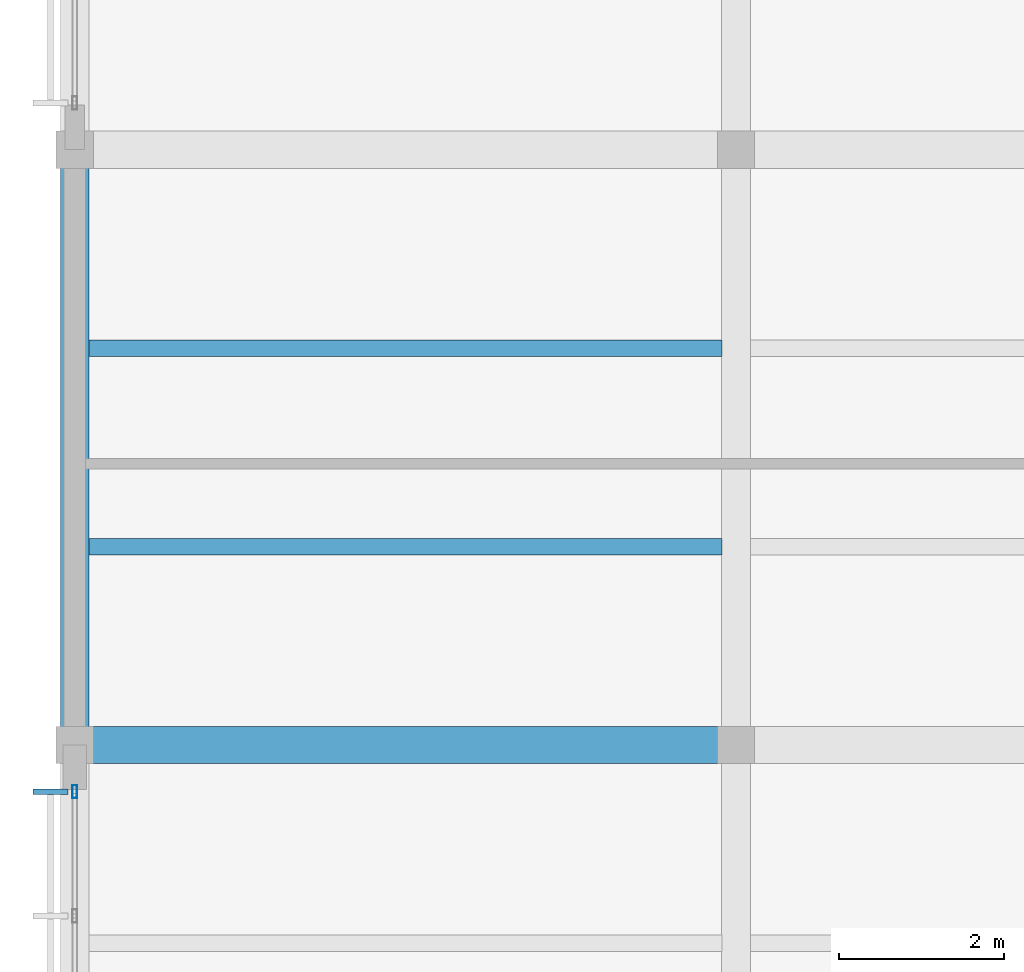
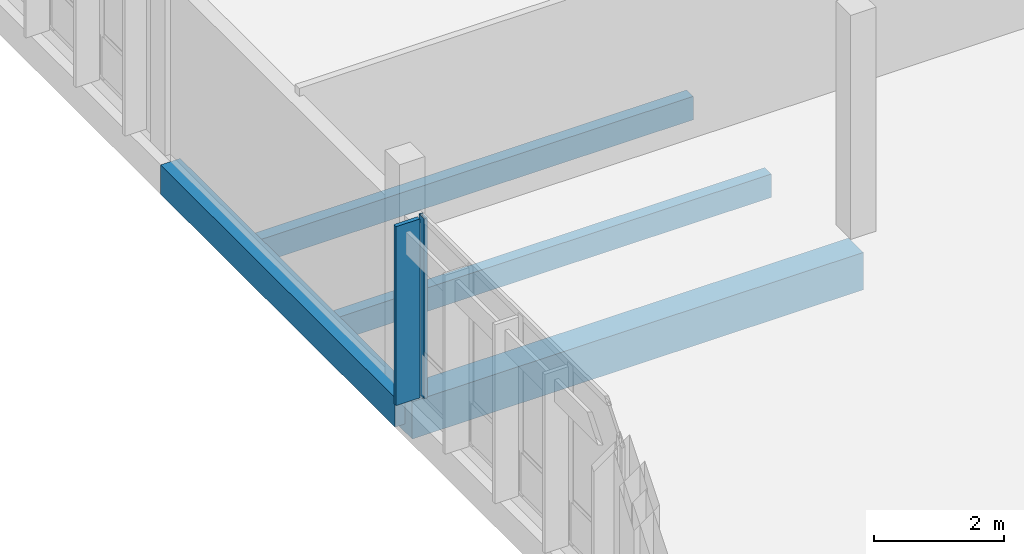
# One storey, part 68 of 182: 4 beams, 2 members, 1 element without a shape of its own.
"""IFC4 building model written with IfcOpenShell, lengths in metres."""

from ifc_helpers import new_model, si_unit, direction, frame, origin, origin_2d, place, context, subcontext, project, spatial, rectangle, hollow_rectangle, extrude, material, material_profile, profile_set, type_object, element, aggregate, save


model = new_model("IFC4")

# Units and contexts
model_context = context("Model", 3, precision=1e-05, world=origin(), true_north=direction((0.0, 1.0)))
body_context = subcontext(model_context, "Body", "Model", "MODEL_VIEW")
ifc_project = project(units=[si_unit("LENGTHUNIT", "METRE"), si_unit("AREAUNIT", "SQUARE_METRE"), si_unit("VOLUMEUNIT", "CUBIC_METRE"), si_unit("PLANEANGLEUNIT", "RADIAN"), si_unit("MASSUNIT", "GRAM", prefix="KILO")], contexts=[model_context])

# Site, building, storey
site_placement = place(None, origin())
site = spatial("IfcSite", under=ifc_project, at=site_placement, CompositionType="ELEMENT")
building_placement = place(site_placement, origin())
building = spatial("IfcBuilding", under=site, at=building_placement, Name="Chiffa Square Polytechnic", CompositionType="ELEMENT")
storey_placement = place(building_placement, frame((0.0, 0.0, 9.60009765625)))
storey = spatial("IfcBuildingStorey", under=building, at=storey_placement, Name="L02", CompositionType="ELEMENT", Elevation=9.60009765625)

# Beams
ifc_material_1 = material(Name="Concrete C35/45", Category="concrete")
ifc_material_profile_1 = material_profile(ifc_material_1, rectangle(XDim=0.35009765625, YDim=0.550048828125, at=origin_2d()), Name="RC 350x550")
ifc_profile_set_1 = profile_set([ifc_material_profile_1], Name="Concrete C35/45")
beam_type_1 = type_object("IfcBeamType", Name="BM-RC-350X550", PredefinedType="BEAM", material=ifc_profile_set_1)
beam_1_placement = place(storey_placement, frame((0.0, 72.60009765625, -0.59521484375), z_axis=(0.0, 1.0, 0.0), x_axis=(-1.0, 0.0, 0.0)))
element("IfcBeam", 1, at=beam_1_placement, inside=storey, type_object=beam_type_1, Name="Primary floor girder BM-V6-L02-Y-0000-0726", PredefinedType="BEAM", context=body_context, shape_type="SweptSolid", body=[
    extrude(rectangle(XDim=0.35009765625, YDim=0.550048828125, at=origin_2d()), origin(), (0.0, 0.0, 1.0), 7.199951171875),
])
ifc_material_profile_2 = material_profile(ifc_material_1, rectangle(XDim=0.449951171875, YDim=0.699951171875, at=origin_2d()), Name="RC 450x700")
ifc_profile_set_2 = profile_set([ifc_material_profile_2], Name="Concrete C35/45")
beam_type_2 = type_object("IfcBeamType", Name="BM-RC-450X700", PredefinedType="BEAM", material=ifc_profile_set_2)
beam_2_placement = place(storey_placement, frame((0.0, 72.60009765625, -0.670166015625), z_axis=(1.0, 0.0, 0.0), x_axis=(0.0, 1.0, 0.0)))
element("IfcBeam", 2, at=beam_2_placement, inside=storey, type_object=beam_type_2, Name="Primary floor girder BM-V6-L02-X-0000-0726", PredefinedType="BEAM", context=body_context, shape_type="SweptSolid", body=[
    extrude(rectangle(XDim=0.449951171875, YDim=0.699951171875, at=origin_2d()), origin(), (0.0, 0.0, 1.0), 8.0),
])

# Curtain wall, members
ifc_material_2 = material(Name="Aluminium EN AW-6060 T66 and glulam shading", Category="wood")
curtain_wall_type = type_object("IfcCurtainWallType", Name="CW-VERT-300X380", PredefinedType="USERDEFINED", material=ifc_material_2)
curtain_wall_placement = place(storey_placement, origin())
curtain_wall = element("IfcCurtainWall", 3, at=curtain_wall_placement, inside=storey, type_object=curtain_wall_type, Name="Curtain wall CW-V6-L02-267", ObjectType="CURTAIN WALL", PredefinedType="USERDEFINED")
ifc_material_3 = material(Name="Aluminium EN AW-6060 T66", Category="aluminium")
ifc_material_profile_3 = material_profile(ifc_material_3, hollow_rectangle(XDim=0.06005859375, YDim=0.159912109375, WallThickness=0.00390625, at=origin_2d()), Name="ALU 60x160x4")
ifc_profile_set_3 = profile_set([ifc_material_profile_3], Name="Aluminium EN AW-6060 T66")
member_type_1 = type_object("IfcMemberType", Name="CWM-ALU-65X150", PredefinedType="MULLION", material=ifc_profile_set_3)
member_1_placement = place(storey_placement, frame((0.0, 72.034912109375, 0.0), z_axis=(0.0, 0.0, 1.0), x_axis=(1.0, 0.0, 0.0)))
member_1 = element("IfcMember", 4, at=member_1_placement, type_object=member_type_1, Name="Curtain wall mullion CW-V6-L02-267-M00", PredefinedType="MULLION", context=body_context, shape_type="SweptSolid", body=[
    extrude(hollow_rectangle(XDim=0.06005859375, YDim=0.159912109375, WallThickness=0.00390625, at=origin_2d()), origin(), (0.0, 0.0, 1.0), 3.375),
])
ifc_material_4 = material(Name="Glulam GL28h", Category="wood")
ifc_material_profile_4 = material_profile(ifc_material_4, rectangle(XDim=0.070068359375, YDim=0.419921875, at=origin_2d()), Name="GL28h 70x420")
ifc_profile_set_4 = profile_set([ifc_material_profile_4], Name="Glulam GL28h")
member_type_2 = type_object("IfcMemberType", Name="CWM-GL-70X420", PredefinedType="MULLION", material=ifc_profile_set_4)
member_2_placement = place(storey_placement, frame((-0.2919921875, 72.034912109375, 0.010009765625), z_axis=(0.0, 0.0, 1.0), x_axis=(0.0, -1.0, 0.0)))
member_2 = element("IfcMember", 5, at=member_2_placement, type_object=member_type_2, Name="Exterior glulam solar fin CW-V6-L02-267-FN00", PredefinedType="MULLION", context=body_context, shape_type="SweptSolid", body=[
    extrude(rectangle(XDim=0.070068359375, YDim=0.419921875, at=origin_2d()), origin(), (0.0, 0.0, 1.0), 3.35498046875),
])
aggregate(curtain_wall, [member_1, member_2])

# Beams
ifc_material_profile_5 = material_profile(ifc_material_4, rectangle(XDim=0.199951171875, YDim=0.43994140625, at=origin_2d()), Name="GL28h 200x440")
ifc_profile_set_5 = profile_set([ifc_material_profile_5], Name="Glulam GL28h")
beam_type_3 = type_object("IfcBeamType", Name="JST-GL-200X440", PredefinedType="JOIST", material=ifc_profile_set_5)
for number, where, z_axis, x_axis, name in (
    (6, (0.173095703125, 75.0, -0.5400390625), (1.0, 0.0, 0.0), (0.0, 1.0, 0.0), "Secondary floor joist JST-V6-L02-0000-0750"),
    (7, (0.173095703125, 77.39990234375, -0.5400390625), (1.0, 0.0, 0.0), (0.0, 1.0, 0.0), "Secondary floor joist JST-V6-L02-0000-0774"),
):
    element("IfcBeam", number, at=place(storey_placement, frame(where, z_axis=z_axis, x_axis=x_axis)), inside=storey, type_object=beam_type_3, Name=name, PredefinedType="JOIST", context=body_context, shape_type="SweptSolid", body=[
        extrude(rectangle(XDim=0.199951171875, YDim=0.43994140625, at=origin_2d()), origin(), (0.0, 0.0, 1.0), 7.65380859375),
    ])

save(model, "model.ifc")
